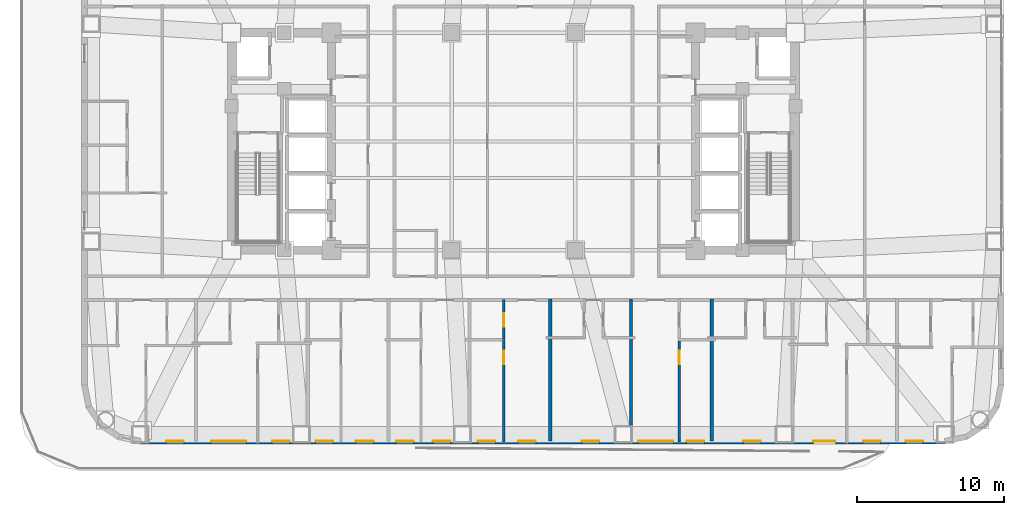
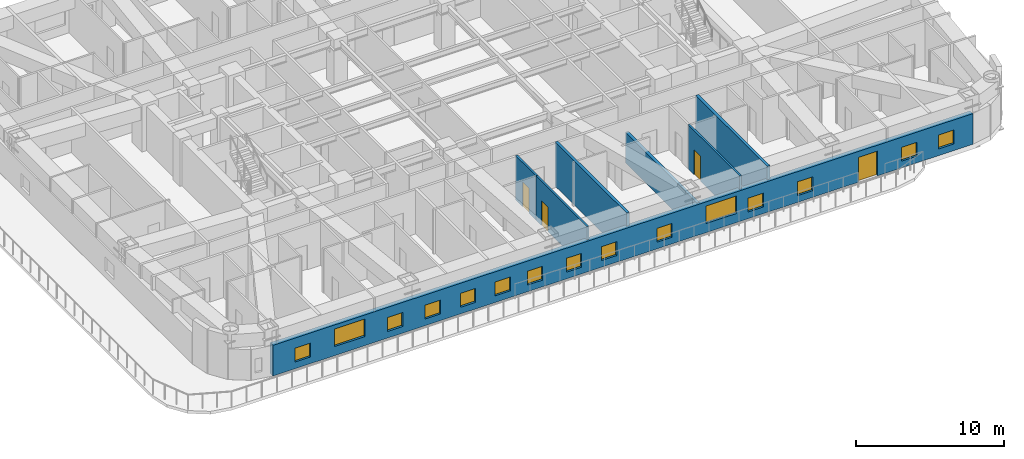
# One storey, part 8 of 18: 15 windows, 7 walls, 4 doors, 19 openings.
"""IFC4 building model written with IfcOpenShell, lengths in metres."""

from ifc_helpers import new_model, si_unit, direction, frame, frame_2d, origin, place, context, subcontext, project, spatial, rectangle, extrude, material, layer, layer_set, type_object, element, fill, save


model = new_model("IFC4")

# Units and contexts
model_context = context("Model", 3, precision=1e-05, world=origin(), true_north=direction((0.0, 1.0)))
body_context = subcontext(model_context, "Body", "Model", "MODEL_VIEW")
ifc_project = project(units=[si_unit("LENGTHUNIT", "METRE"), si_unit("AREAUNIT", "SQUARE_METRE"), si_unit("VOLUMEUNIT", "CUBIC_METRE"), si_unit("PLANEANGLEUNIT", "RADIAN"), si_unit("MASSUNIT", "GRAM", prefix="KILO")], contexts=[model_context])

# Site, building, storey
site_placement = place(None, origin())
site = spatial("IfcSite", under=ifc_project, at=site_placement, CompositionType="ELEMENT")
building_placement = place(site_placement, origin())
building = spatial("IfcBuilding", under=site, at=building_placement, Name="Voryun Gate Residences", CompositionType="ELEMENT")
storey_placement = place(building_placement, frame((0.0, 0.0, 85.800048828125)))
storey = spatial("IfcBuildingStorey", under=building, at=storey_placement, Name="L20", CompositionType="ELEMENT", Elevation=85.800048828125)

# Wall, openings, door, windows
ifc_material_1 = material(Name="Granite masonry", Category="masonry")
ifc_layer_1 = layer(ifc_material_1, 0.3798828125, Name="W_EXT_GRANITE_380")
ifc_layer_set_1 = layer_set([ifc_layer_1], Name="Granite masonry")
wall_type_1 = type_object("IfcWallType", Name="W_EXT_GRANITE_380", PredefinedType="ELEMENTEDWALL", material=ifc_layer_set_1)
wall_1_placement = place(storey_placement, frame((29.38134765625, -20.409912109375, 0.0), z_axis=(0.0, 0.0, 1.0), x_axis=(-1.0, 0.0, 0.0)))
wall_1 = element("IfcWall", 1, at=wall_1_placement, inside=storey, type_object=wall_type_1, Name="Exterior wall WEXT-L20-01", PredefinedType="ELEMENTEDWALL", context=body_context, shape_type="SweptSolid", body=[
    extrude(rectangle(XDim=54.7626953125, YDim=0.3798828125, at=frame_2d((27.38134765625, 0.0))), origin(), (0.0, 0.0, 1.0), 2.5400390625),
])
opening_1_placement = place(wall_1_placement, frame((18.486083984375, 0.0, 0.75)))
opening_1 = element("IfcOpeningElement", 2, at=opening_1_placement, cuts=wall_1, Name="Opening WN2", PredefinedType="OPENING", context=body_context, shape_type="SweptSolid", body=[
    extrude(rectangle(XDim=2.39990234375, YDim=1.449951171875, at=frame_2d((1.199951171875, 0.72509765625))), frame((0.0, 0.199951171875, 0.0), z_axis=(0.0, -1.0, 0.0), x_axis=(1.0, 0.0, 0.0)), (0.0, 0.0, 1.0), 0.39990234375),
])
opening_2_placement = place(wall_1_placement, frame((47.5673828125, 0.0, 0.75)))
opening_2 = element("IfcOpeningElement", 3, at=opening_2_placement, cuts=wall_1, Name="Opening WN2", PredefinedType="OPENING", context=body_context, shape_type="SweptSolid", body=[
    extrude(rectangle(XDim=2.39990234375, YDim=1.449951171875, at=frame_2d((1.199951171875, 0.72509765625))), frame((0.0, 0.199951171875, 0.0), z_axis=(0.0, -1.0, 0.0), x_axis=(1.0, 0.0, 0.0)), (0.0, 0.0, 1.0), 0.39990234375),
])
opening_3_placement = place(wall_1_placement, frame((7.464111328125, 0.0, 0.0)))
opening_3 = element("IfcOpeningElement", 4, at=opening_3_placement, cuts=wall_1, Name="Opening D-TER-1", PredefinedType="OPENING", context=body_context, shape_type="SweptSolid", body=[
    extrude(rectangle(XDim=1.5, YDim=2.050048828125, at=frame_2d((0.75, 1.02490234375))), frame((0.0, 0.199951171875, 0.0), z_axis=(0.0, -1.0, 0.0), x_axis=(1.0, 0.0, 0.0)), (0.0, 0.0, 1.0), 0.39990234375),
])
opening_4_placement = place(wall_1_placement, frame((51.831298828125, 0.0, 0.550048828125)))
opening_4 = element("IfcOpeningElement", 5, at=opening_4_placement, cuts=wall_1, Name="Opening WN6", PredefinedType="OPENING", context=body_context, shape_type="SweptSolid", body=[
    extrude(rectangle(XDim=1.199951171875, YDim=1.14990234375, at=frame_2d((0.60009765625, 0.574951171875))), frame((0.0, 0.199951171875, 0.0), z_axis=(0.0, -1.0, 0.0), x_axis=(1.0, 0.0, 0.0)), (0.0, 0.0, 1.0), 0.39990234375),
])
opening_5_placement = place(wall_1_placement, frame((44.606201171875, 0.0, 0.550048828125)))
opening_5 = element("IfcOpeningElement", 6, at=opening_5_placement, cuts=wall_1, Name="Opening WN6", PredefinedType="OPENING", context=body_context, shape_type="SweptSolid", body=[
    extrude(rectangle(XDim=1.199951171875, YDim=1.14990234375, at=frame_2d((0.60009765625, 0.574951171875))), frame((0.0, 0.199951171875, 0.0), z_axis=(0.0, -1.0, 0.0), x_axis=(1.0, 0.0, 0.0)), (0.0, 0.0, 1.0), 0.39990234375),
])
opening_6_placement = place(wall_1_placement, frame((38.90625, 0.0, 0.550048828125)))
opening_6 = element("IfcOpeningElement", 7, at=opening_6_placement, cuts=wall_1, Name="Opening WN6", PredefinedType="OPENING", context=body_context, shape_type="SweptSolid", body=[
    extrude(rectangle(XDim=1.199951171875, YDim=1.14990234375, at=frame_2d((0.60009765625, 0.574951171875))), frame((0.0, 0.199951171875, 0.0), z_axis=(0.0, -1.0, 0.0), x_axis=(1.0, 0.0, 0.0)), (0.0, 0.0, 1.0), 0.39990234375),
])
opening_7_placement = place(wall_1_placement, frame((41.65625, 0.0, 0.550048828125)))
opening_7 = element("IfcOpeningElement", 8, at=opening_7_placement, cuts=wall_1, Name="Opening WN6", PredefinedType="OPENING", context=body_context, shape_type="SweptSolid", body=[
    extrude(rectangle(XDim=1.199951171875, YDim=1.14990234375, at=frame_2d((0.60009765625, 0.574951171875))), frame((0.0, 0.199951171875, 0.0), z_axis=(0.0, -1.0, 0.0), x_axis=(1.0, 0.0, 0.0)), (0.0, 0.0, 1.0), 0.39990234375),
])
opening_8_placement = place(wall_1_placement, frame((33.666259765625, 0.0, 0.550048828125)))
opening_8 = element("IfcOpeningElement", 9, at=opening_8_placement, cuts=wall_1, Name="Opening WN6", PredefinedType="OPENING", context=body_context, shape_type="SweptSolid", body=[
    extrude(rectangle(XDim=1.199951171875, YDim=1.14990234375, at=frame_2d((0.60009765625, 0.574951171875))), frame((0.0, 0.199951171875, 0.0), z_axis=(0.0, -1.0, 0.0), x_axis=(1.0, 0.0, 0.0)), (0.0, 0.0, 1.0), 0.39990234375),
])
opening_9_placement = place(wall_1_placement, frame((36.17626953125, 0.0, 0.550048828125)))
opening_9 = element("IfcOpeningElement", 10, at=opening_9_placement, cuts=wall_1, Name="Opening WN6", PredefinedType="OPENING", context=body_context, shape_type="SweptSolid", body=[
    extrude(rectangle(XDim=1.199951171875, YDim=1.14990234375, at=frame_2d((0.60009765625, 0.574951171875))), frame((0.0, 0.199951171875, 0.0), z_axis=(0.0, -1.0, 0.0), x_axis=(1.0, 0.0, 0.0)), (0.0, 0.0, 1.0), 0.39990234375),
])
opening_10_placement = place(wall_1_placement, frame((27.86083984375, 0.0, 0.550048828125)))
opening_10 = element("IfcOpeningElement", 11, at=opening_10_placement, cuts=wall_1, Name="Opening WN6", PredefinedType="OPENING", context=body_context, shape_type="SweptSolid", body=[
    extrude(rectangle(XDim=1.199951171875, YDim=1.14990234375, at=frame_2d((0.60009765625, 0.574951171875))), frame((0.0, 0.199951171875, 0.0), z_axis=(0.0, -1.0, 0.0), x_axis=(1.0, 0.0, 0.0)), (0.0, 0.0, 1.0), 0.39990234375),
])
opening_11_placement = place(wall_1_placement, frame((30.61083984375, 0.0, 0.550048828125)))
opening_11 = element("IfcOpeningElement", 12, at=opening_11_placement, cuts=wall_1, Name="Opening WN6", PredefinedType="OPENING", context=body_context, shape_type="SweptSolid", body=[
    extrude(rectangle(XDim=1.199951171875, YDim=1.14990234375, at=frame_2d((0.60009765625, 0.574951171875))), frame((0.0, 0.199951171875, 0.0), z_axis=(0.0, -1.0, 0.0), x_axis=(1.0, 0.0, 0.0)), (0.0, 0.0, 1.0), 0.39990234375),
])
opening_12_placement = place(wall_1_placement, frame((23.53125, 0.0, 0.550048828125)))
opening_12 = element("IfcOpeningElement", 13, at=opening_12_placement, cuts=wall_1, Name="Opening WN6", PredefinedType="OPENING", context=body_context, shape_type="SweptSolid", body=[
    extrude(rectangle(XDim=1.199951171875, YDim=1.14990234375, at=frame_2d((0.60009765625, 0.574951171875))), frame((0.0, 0.199951171875, 0.0), z_axis=(0.0, -1.0, 0.0), x_axis=(1.0, 0.0, 0.0)), (0.0, 0.0, 1.0), 0.39990234375),
])
opening_13_placement = place(wall_1_placement, frame((16.38623046875, 0.0, 0.550048828125)))
opening_13 = element("IfcOpeningElement", 14, at=opening_13_placement, cuts=wall_1, Name="Opening WN6", PredefinedType="OPENING", context=body_context, shape_type="SweptSolid", body=[
    extrude(rectangle(XDim=1.199951171875, YDim=1.14990234375, at=frame_2d((0.60009765625, 0.574951171875))), frame((0.0, 0.199951171875, 0.0), z_axis=(0.0, -1.0, 0.0), x_axis=(1.0, 0.0, 0.0)), (0.0, 0.0, 1.0), 0.39990234375),
])
opening_14_placement = place(wall_1_placement, frame((12.53125, 0.0, 0.550048828125)))
opening_14 = element("IfcOpeningElement", 15, at=opening_14_placement, cuts=wall_1, Name="Opening WN6", PredefinedType="OPENING", context=body_context, shape_type="SweptSolid", body=[
    extrude(rectangle(XDim=1.199951171875, YDim=1.14990234375, at=frame_2d((0.60009765625, 0.574951171875))), frame((0.0, 0.199951171875, 0.0), z_axis=(0.0, -1.0, 0.0), x_axis=(1.0, 0.0, 0.0)), (0.0, 0.0, 1.0), 0.39990234375),
])
opening_15_placement = place(wall_1_placement, frame((4.377197265625, 0.0, 0.550048828125)))
opening_15 = element("IfcOpeningElement", 16, at=opening_15_placement, cuts=wall_1, Name="Opening WN6", PredefinedType="OPENING", context=body_context, shape_type="SweptSolid", body=[
    extrude(rectangle(XDim=1.199951171875, YDim=1.14990234375, at=frame_2d((0.60009765625, 0.574951171875))), frame((0.0, 0.199951171875, 0.0), z_axis=(0.0, -1.0, 0.0), x_axis=(1.0, 0.0, 0.0)), (0.0, 0.0, 1.0), 0.39990234375),
])
opening_16_placement = place(wall_1_placement, frame((1.481201171875, 0.0, 0.550048828125)))
opening_16 = element("IfcOpeningElement", 17, at=opening_16_placement, cuts=wall_1, Name="Opening WN6", PredefinedType="OPENING", context=body_context, shape_type="SweptSolid", body=[
    extrude(rectangle(XDim=1.199951171875, YDim=1.14990234375, at=frame_2d((0.60009765625, 0.574951171875))), frame((0.0, 0.199951171875, 0.0), z_axis=(0.0, -1.0, 0.0), x_axis=(1.0, 0.0, 0.0)), (0.0, 0.0, 1.0), 0.39990234375),
])
ifc_material_2 = material(Name="Thermally broken aluminium and low-E glass", Category="aluminium")
door_type_1 = type_object("IfcDoorType", Name="DR_TERR_EXIT_1500", OperationType="NOTDEFINED", PredefinedType="DOOR", material=ifc_material_2)
door_1_placement = place(opening_3_placement, origin())
door_1 = element("IfcDoor", 18, at=door_1_placement, inside=storey, type_object=door_type_1, Name="Door DR-L20-OUT-01", OperationType="SLIDING_TO_RIGHT", OverallHeight=2.050048828125, OverallWidth=1.5, PredefinedType="DOOR", context=body_context, shape_type="SweptSolid", body=[
    extrude(rectangle(XDim=1.5, YDim=2.050048828125, at=frame_2d((0.75, 1.02490234375))), frame((0.0, 0.02490234375, 0.0), z_axis=(0.0, -1.0, 0.0), x_axis=(1.0, 0.0, 0.0)), (0.0, 0.0, 1.0), 0.050048828125),
])
fill(opening_3, door_1)
ifc_material_3 = material(Name="Laminated low-E glass", Category="glass")
window_type_1 = type_object("IfcWindowType", Name="WN_POD_SLOT_1200", PartitioningType="SINGLE_PANEL", PredefinedType="WINDOW", material=ifc_material_3)
window_1_placement = place(opening_4_placement, origin())
window_1 = element("IfcWindow", 19, at=window_1_placement, inside=storey, type_object=window_type_1, Name="Window WN-L20-DWFIX-15", OverallHeight=1.14990234375, OverallWidth=1.199951171875, PartitioningType="SINGLE_PANEL", PredefinedType="WINDOW", context=body_context, shape_type="SweptSolid", body=[
    extrude(rectangle(XDim=1.199951171875, YDim=1.14990234375, at=frame_2d((0.60009765625, 0.574951171875))), frame((0.0, 0.030029296875, 0.0), z_axis=(0.0, -1.0, 0.0), x_axis=(1.0, 0.0, 0.0)), (0.0, 0.0, 1.0), 0.06005859375),
])
fill(opening_4, window_1)
window_2_placement = place(opening_5_placement, origin())
window_2 = element("IfcWindow", 20, at=window_2_placement, inside=storey, type_object=window_type_1, Name="Window WN-L20-DWFIX-16", OverallHeight=1.14990234375, OverallWidth=1.199951171875, PartitioningType="SINGLE_PANEL", PredefinedType="WINDOW", context=body_context, shape_type="SweptSolid", body=[
    extrude(rectangle(XDim=1.199951171875, YDim=1.14990234375, at=frame_2d((0.60009765625, 0.574951171875))), frame((0.0, 0.030029296875, 0.0), z_axis=(0.0, -1.0, 0.0), x_axis=(1.0, 0.0, 0.0)), (0.0, 0.0, 1.0), 0.06005859375),
])
fill(opening_5, window_2)
window_3_placement = place(opening_6_placement, origin())
window_3 = element("IfcWindow", 21, at=window_3_placement, inside=storey, type_object=window_type_1, Name="Window WN-L20-DWFIX-17", OverallHeight=1.14990234375, OverallWidth=1.199951171875, PartitioningType="SINGLE_PANEL", PredefinedType="WINDOW", context=body_context, shape_type="SweptSolid", body=[
    extrude(rectangle(XDim=1.199951171875, YDim=1.14990234375, at=frame_2d((0.60009765625, 0.574951171875))), frame((0.0, 0.030029296875, 0.0), z_axis=(0.0, -1.0, 0.0), x_axis=(1.0, 0.0, 0.0)), (0.0, 0.0, 1.0), 0.06005859375),
])
fill(opening_6, window_3)
window_4_placement = place(opening_7_placement, origin())
window_4 = element("IfcWindow", 22, at=window_4_placement, inside=storey, type_object=window_type_1, Name="Window WN-L20-DWFIX-18", OverallHeight=1.14990234375, OverallWidth=1.199951171875, PartitioningType="SINGLE_PANEL", PredefinedType="WINDOW", context=body_context, shape_type="SweptSolid", body=[
    extrude(rectangle(XDim=1.199951171875, YDim=1.14990234375, at=frame_2d((0.60009765625, 0.574951171875))), frame((0.0, 0.030029296875, 0.0), z_axis=(0.0, -1.0, 0.0), x_axis=(1.0, 0.0, 0.0)), (0.0, 0.0, 1.0), 0.06005859375),
])
fill(opening_7, window_4)
window_5_placement = place(opening_8_placement, origin())
window_5 = element("IfcWindow", 23, at=window_5_placement, inside=storey, type_object=window_type_1, Name="Window WN-L20-DWFIX-19", OverallHeight=1.14990234375, OverallWidth=1.199951171875, PartitioningType="SINGLE_PANEL", PredefinedType="WINDOW", context=body_context, shape_type="SweptSolid", body=[
    extrude(rectangle(XDim=1.199951171875, YDim=1.14990234375, at=frame_2d((0.60009765625, 0.574951171875))), frame((0.0, 0.030029296875, 0.0), z_axis=(0.0, -1.0, 0.0), x_axis=(1.0, 0.0, 0.0)), (0.0, 0.0, 1.0), 0.06005859375),
])
fill(opening_8, window_5)
window_6_placement = place(opening_9_placement, origin())
window_6 = element("IfcWindow", 24, at=window_6_placement, inside=storey, type_object=window_type_1, Name="Window WN-L20-DWFIX-20", OverallHeight=1.14990234375, OverallWidth=1.199951171875, PartitioningType="SINGLE_PANEL", PredefinedType="WINDOW", context=body_context, shape_type="SweptSolid", body=[
    extrude(rectangle(XDim=1.199951171875, YDim=1.14990234375, at=frame_2d((0.60009765625, 0.574951171875))), frame((0.0, 0.030029296875, 0.0), z_axis=(0.0, -1.0, 0.0), x_axis=(1.0, 0.0, 0.0)), (0.0, 0.0, 1.0), 0.06005859375),
])
fill(opening_9, window_6)
window_7_placement = place(opening_10_placement, origin())
window_7 = element("IfcWindow", 25, at=window_7_placement, inside=storey, type_object=window_type_1, Name="Window WN-L20-DWFIX-21", OverallHeight=1.14990234375, OverallWidth=1.199951171875, PartitioningType="SINGLE_PANEL", PredefinedType="WINDOW", context=body_context, shape_type="SweptSolid", body=[
    extrude(rectangle(XDim=1.199951171875, YDim=1.14990234375, at=frame_2d((0.60009765625, 0.574951171875))), frame((0.0, 0.030029296875, 0.0), z_axis=(0.0, -1.0, 0.0), x_axis=(1.0, 0.0, 0.0)), (0.0, 0.0, 1.0), 0.06005859375),
])
fill(opening_10, window_7)
window_8_placement = place(opening_11_placement, origin())
window_8 = element("IfcWindow", 26, at=window_8_placement, inside=storey, type_object=window_type_1, Name="Window WN-L20-DWFIX-22", OverallHeight=1.14990234375, OverallWidth=1.199951171875, PartitioningType="SINGLE_PANEL", PredefinedType="WINDOW", context=body_context, shape_type="SweptSolid", body=[
    extrude(rectangle(XDim=1.199951171875, YDim=1.14990234375, at=frame_2d((0.60009765625, 0.574951171875))), frame((0.0, 0.030029296875, 0.0), z_axis=(0.0, -1.0, 0.0), x_axis=(1.0, 0.0, 0.0)), (0.0, 0.0, 1.0), 0.06005859375),
])
fill(opening_11, window_8)
window_9_placement = place(opening_12_placement, origin())
window_9 = element("IfcWindow", 27, at=window_9_placement, inside=storey, type_object=window_type_1, Name="Window WN-L20-DWFIX-23", OverallHeight=1.14990234375, OverallWidth=1.199951171875, PartitioningType="SINGLE_PANEL", PredefinedType="WINDOW", context=body_context, shape_type="SweptSolid", body=[
    extrude(rectangle(XDim=1.199951171875, YDim=1.14990234375, at=frame_2d((0.60009765625, 0.574951171875))), frame((0.0, 0.030029296875, 0.0), z_axis=(0.0, -1.0, 0.0), x_axis=(1.0, 0.0, 0.0)), (0.0, 0.0, 1.0), 0.06005859375),
])
fill(opening_12, window_9)
window_10_placement = place(opening_13_placement, origin())
window_10 = element("IfcWindow", 28, at=window_10_placement, inside=storey, type_object=window_type_1, Name="Window WN-L20-DWFIX-24", OverallHeight=1.14990234375, OverallWidth=1.199951171875, PartitioningType="SINGLE_PANEL", PredefinedType="WINDOW", context=body_context, shape_type="SweptSolid", body=[
    extrude(rectangle(XDim=1.199951171875, YDim=1.14990234375, at=frame_2d((0.60009765625, 0.574951171875))), frame((0.0, 0.030029296875, 0.0), z_axis=(0.0, -1.0, 0.0), x_axis=(1.0, 0.0, 0.0)), (0.0, 0.0, 1.0), 0.06005859375),
])
fill(opening_13, window_10)
window_11_placement = place(opening_14_placement, origin())
window_11 = element("IfcWindow", 29, at=window_11_placement, inside=storey, type_object=window_type_1, Name="Window WN-L20-DWFIX-25", OverallHeight=1.14990234375, OverallWidth=1.199951171875, PartitioningType="SINGLE_PANEL", PredefinedType="WINDOW", context=body_context, shape_type="SweptSolid", body=[
    extrude(rectangle(XDim=1.199951171875, YDim=1.14990234375, at=frame_2d((0.60009765625, 0.574951171875))), frame((0.0, 0.030029296875, 0.0), z_axis=(0.0, -1.0, 0.0), x_axis=(1.0, 0.0, 0.0)), (0.0, 0.0, 1.0), 0.06005859375),
])
fill(opening_14, window_11)
window_12_placement = place(opening_15_placement, origin())
window_12 = element("IfcWindow", 30, at=window_12_placement, inside=storey, type_object=window_type_1, Name="Window WN-L20-DWFIX-26", OverallHeight=1.14990234375, OverallWidth=1.199951171875, PartitioningType="SINGLE_PANEL", PredefinedType="WINDOW", context=body_context, shape_type="SweptSolid", body=[
    extrude(rectangle(XDim=1.199951171875, YDim=1.14990234375, at=frame_2d((0.60009765625, 0.574951171875))), frame((0.0, 0.030029296875, 0.0), z_axis=(0.0, -1.0, 0.0), x_axis=(1.0, 0.0, 0.0)), (0.0, 0.0, 1.0), 0.06005859375),
])
fill(opening_15, window_12)
window_13_placement = place(opening_16_placement, origin())
window_13 = element("IfcWindow", 31, at=window_13_placement, inside=storey, type_object=window_type_1, Name="Window WN-L20-DWFIX-27", OverallHeight=1.14990234375, OverallWidth=1.199951171875, PartitioningType="SINGLE_PANEL", PredefinedType="WINDOW", context=body_context, shape_type="SweptSolid", body=[
    extrude(rectangle(XDim=1.199951171875, YDim=1.14990234375, at=frame_2d((0.60009765625, 0.574951171875))), frame((0.0, 0.030029296875, 0.0), z_axis=(0.0, -1.0, 0.0), x_axis=(1.0, 0.0, 0.0)), (0.0, 0.0, 1.0), 0.06005859375),
])
fill(opening_16, window_13)
ifc_material_4 = material(Name="Laminated low-E glass", Category="glass")
window_type_2 = type_object("IfcWindowType", Name="WN_RES_WIDE_2400", PartitioningType="SINGLE_PANEL", PredefinedType="WINDOW", material=ifc_material_4)
window_14_placement = place(opening_1_placement, origin())
window_14 = element("IfcWindow", 32, at=window_14_placement, inside=storey, type_object=window_type_2, Name="Window WN-WEXT-L20-01-02", OverallHeight=1.449951171875, OverallWidth=2.39990234375, PartitioningType="SINGLE_PANEL", PredefinedType="WINDOW", context=body_context, shape_type="SweptSolid", body=[
    extrude(rectangle(XDim=2.39990234375, YDim=1.449951171875, at=frame_2d((1.199951171875, 0.72509765625))), frame((0.0, 0.030029296875, 0.0), z_axis=(0.0, -1.0, 0.0), x_axis=(1.0, 0.0, 0.0)), (0.0, 0.0, 1.0), 0.06005859375),
])
fill(opening_1, window_14)
window_15_placement = place(opening_2_placement, origin())
window_15 = element("IfcWindow", 33, at=window_15_placement, inside=storey, type_object=window_type_2, Name="Window WN-WEXT-L20-01-04", OverallHeight=1.449951171875, OverallWidth=2.39990234375, PartitioningType="SINGLE_PANEL", PredefinedType="WINDOW", context=body_context, shape_type="SweptSolid", body=[
    extrude(rectangle(XDim=2.39990234375, YDim=1.449951171875, at=frame_2d((1.199951171875, 0.72509765625))), frame((0.0, 0.030029296875, 0.0), z_axis=(0.0, -1.0, 0.0), x_axis=(1.0, 0.0, 0.0)), (0.0, 0.0, 1.0), 0.06005859375),
])
fill(opening_2, window_15)

# Walls
ifc_material_5 = material(Name="Concrete C40/50", Category="concrete")
ifc_layer_2 = layer(ifc_material_5, 0.219970703125, Name="W_PARTY_ACOUSTIC_220")
ifc_layer_set_2 = layer_set([ifc_layer_2], Name="Concrete C40/50")
wall_type_2 = type_object("IfcWallType", Name="W_PARTY_ACOUSTIC_220", PredefinedType="PARTITIONING", material=ifc_layer_set_2)
wall_2_placement = place(storey_placement, frame((2.5, -20.409912109375, 0.0), z_axis=(0.0, 0.0, 1.0), x_axis=(0.0, 1.0, 0.0)))
element("IfcWall", 34, at=wall_2_placement, inside=storey, type_object=wall_type_2, Name="Partition wall WP-L20-SPTY-5", PredefinedType="PARTITIONING", context=body_context, shape_type="SweptSolid", body=[
    extrude(rectangle(XDim=9.68994140625, YDim=0.219970703125, at=frame_2d((4.844970703125, 0.0))), origin(), (0.0, 0.0, 1.0), 3.64990234375),
])
wall_3_placement = place(storey_placement, frame((8.0, -20.409912109375, 0.0), z_axis=(0.0, 0.0, 1.0), x_axis=(0.0, 1.0, 0.0)))
element("IfcWall", 35, at=wall_3_placement, inside=storey, type_object=wall_type_2, Name="Partition wall WP-L20-SPTY-6", PredefinedType="PARTITIONING", context=body_context, shape_type="SweptSolid", body=[
    extrude(rectangle(XDim=9.68994140625, YDim=0.219970703125, at=frame_2d((4.844970703125, 0.0))), origin(), (0.0, 0.0, 1.0), 2.5400390625),
])
wall_4_placement = place(storey_placement, frame((13.5, -20.409912109375, 0.0), z_axis=(0.0, 0.0, 1.0), x_axis=(0.0, 1.0, 0.0)))
element("IfcWall", 36, at=wall_4_placement, inside=storey, type_object=wall_type_2, Name="Partition wall WP-L20-SPTY-7", PredefinedType="PARTITIONING", context=body_context, shape_type="SweptSolid", body=[
    extrude(rectangle(XDim=9.68994140625, YDim=0.219970703125, at=frame_2d((4.844970703125, 0.0))), origin(), (0.0, 0.0, 1.0), 3.64990234375),
])

# Wall, opening, door
ifc_material_6 = material(Name="Gypsum moisture-resistant partition")
ifc_layer_3 = layer(ifc_material_6, 0.14990234375, Name="W_WET_PLUMB_150")
ifc_layer_set_3 = layer_set([ifc_layer_3], Name="Gypsum moisture-resistant partition")
wall_type_3 = type_object("IfcWallType", Name="W_WET_PLUMB_150", PredefinedType="PLUMBINGWALL", material=ifc_layer_set_3)
wall_5_placement = place(storey_placement, frame((-0.658935546875, -20.45751953125, 0.0), z_axis=(0.0, 0.0, 1.0), x_axis=(0.0, 1.0, 0.0)))
wall_5 = element("IfcWall", 37, at=wall_5_placement, inside=storey, type_object=wall_type_3, Name="Partition wall WP-L20-S5-SVT1", PredefinedType="PLUMBINGWALL", context=body_context, shape_type="SweptSolid", body=[
    extrude(rectangle(XDim=6.99755859375, YDim=0.14990234375, at=frame_2d((3.498779296875, 0.0))), origin(), (0.0, 0.0, 1.0), 3.64990234375),
])
opening_17_placement = place(wall_5_placement, frame((5.2880859375, 0.0, 0.0)))
opening_17 = element("IfcOpeningElement", 38, at=opening_17_placement, cuts=wall_5, Name="Opening D-INT-2", PredefinedType="OPENING", context=body_context, shape_type="SweptSolid", body=[
    extrude(rectangle(XDim=0.89990234375, YDim=2.050048828125, at=frame_2d((0.449951171875, 1.02490234375))), frame((0.0, 0.0849609375, 0.0), z_axis=(0.0, -1.0, 0.0), x_axis=(1.0, 0.0, 0.0)), (0.0, 0.0, 1.0), 0.169921875),
])
ifc_material_7 = material(Name="Architectural oak veneer")
door_type_2 = type_object("IfcDoorType", Name="DR_INT_BATH_900", OperationType="NOTDEFINED", PredefinedType="DOOR", material=ifc_material_7)
door_2_placement = place(opening_17_placement, origin())
door_2 = element("IfcDoor", 39, at=door_2_placement, inside=storey, type_object=door_type_2, Name="Door DR-L20-S5-DK", OperationType="SINGLE_SWING_LEFT", OverallHeight=2.050048828125, OverallWidth=0.89990234375, PredefinedType="DOOR", context=body_context, shape_type="SweptSolid", body=[
    extrude(rectangle(XDim=0.89990234375, YDim=2.050048828125, at=frame_2d((0.449951171875, 1.02490234375))), frame((0.0, 0.02490234375, 0.0), z_axis=(0.0, -1.0, 0.0), x_axis=(1.0, 0.0, 0.0)), (0.0, 0.0, 1.0), 0.050048828125),
])
fill(opening_17, door_2)

wall_6_placement = place(storey_placement, frame((-0.658935546875, -13.5400390625, 0.0), z_axis=(0.0, 0.0, 1.0), x_axis=(0.0, 1.0, 0.0)))
wall_6 = element("IfcWall", 40, at=wall_6_placement, inside=storey, type_object=wall_type_3, Name="Partition wall WP-L20-S5-SVT2", PredefinedType="PLUMBINGWALL", context=body_context, shape_type="SweptSolid", body=[
    extrude(rectangle(XDim=2.760009765625, YDim=0.14990234375, at=frame_2d((1.3798828125, 0.0))), origin(), (0.0, 0.0, 1.0), 3.64990234375),
])
opening_18_placement = place(wall_6_placement, frame((0.929931640625, 0.0, 0.0)))
opening_18 = element("IfcOpeningElement", 41, at=opening_18_placement, cuts=wall_6, Name="Opening D-INT-2", PredefinedType="OPENING", context=body_context, shape_type="SweptSolid", body=[
    extrude(rectangle(XDim=0.89990234375, YDim=2.050048828125, at=frame_2d((0.449951171875, 1.02490234375))), frame((0.0, 0.0849609375, 0.0), z_axis=(0.0, -1.0, 0.0), x_axis=(1.0, 0.0, 0.0)), (0.0, 0.0, 1.0), 0.169921875),
])
door_3_placement = place(opening_18_placement, origin())
door_3 = element("IfcDoor", 42, at=door_3_placement, inside=storey, type_object=door_type_2, Name="Door DR-L20-S5-DB", OperationType="SINGLE_SWING_RIGHT", OverallHeight=2.050048828125, OverallWidth=0.89990234375, PredefinedType="DOOR", context=body_context, shape_type="SweptSolid", body=[
    extrude(rectangle(XDim=0.89990234375, YDim=2.050048828125, at=frame_2d((0.449951171875, 1.02490234375))), frame((0.0, 0.02490234375, 0.0), z_axis=(0.0, -1.0, 0.0), x_axis=(1.0, 0.0, 0.0)), (0.0, 0.0, 1.0), 0.050048828125),
])
fill(opening_18, door_3)

wall_7_placement = place(storey_placement, frame((11.2900390625, -20.45751953125, 0.0), z_axis=(0.0, 0.0, 1.0), x_axis=(0.0, 1.0, 0.0)))
wall_7 = element("IfcWall", 43, at=wall_7_placement, inside=storey, type_object=wall_type_3, Name="Partition wall WP-L20-S7-SVT1", PredefinedType="PLUMBINGWALL", context=body_context, shape_type="SweptSolid", body=[
    extrude(rectangle(XDim=6.99755859375, YDim=0.14990234375, at=frame_2d((3.498779296875, 0.0))), origin(), (0.0, 0.0, 1.0), 3.64990234375),
])
opening_19_placement = place(wall_7_placement, frame((5.2880859375, 0.0, 0.0)))
opening_19 = element("IfcOpeningElement", 44, at=opening_19_placement, cuts=wall_7, Name="Opening D-INT-2", PredefinedType="OPENING", context=body_context, shape_type="SweptSolid", body=[
    extrude(rectangle(XDim=0.89990234375, YDim=2.050048828125, at=frame_2d((0.449951171875, 1.02490234375))), frame((0.0, 0.0849609375, 0.0), z_axis=(0.0, -1.0, 0.0), x_axis=(1.0, 0.0, 0.0)), (0.0, 0.0, 1.0), 0.169921875),
])
door_4_placement = place(opening_19_placement, origin())
door_4 = element("IfcDoor", 45, at=door_4_placement, inside=storey, type_object=door_type_2, Name="Door DR-L20-S7-DK", OperationType="SINGLE_SWING_LEFT", OverallHeight=2.050048828125, OverallWidth=0.89990234375, PredefinedType="DOOR", context=body_context, shape_type="SweptSolid", body=[
    extrude(rectangle(XDim=0.89990234375, YDim=2.050048828125, at=frame_2d((0.449951171875, 1.02490234375))), frame((0.0, 0.02490234375, 0.0), z_axis=(0.0, -1.0, 0.0), x_axis=(1.0, 0.0, 0.0)), (0.0, 0.0, 1.0), 0.050048828125),
])
fill(opening_19, door_4)

save(model, "model.ifc")
